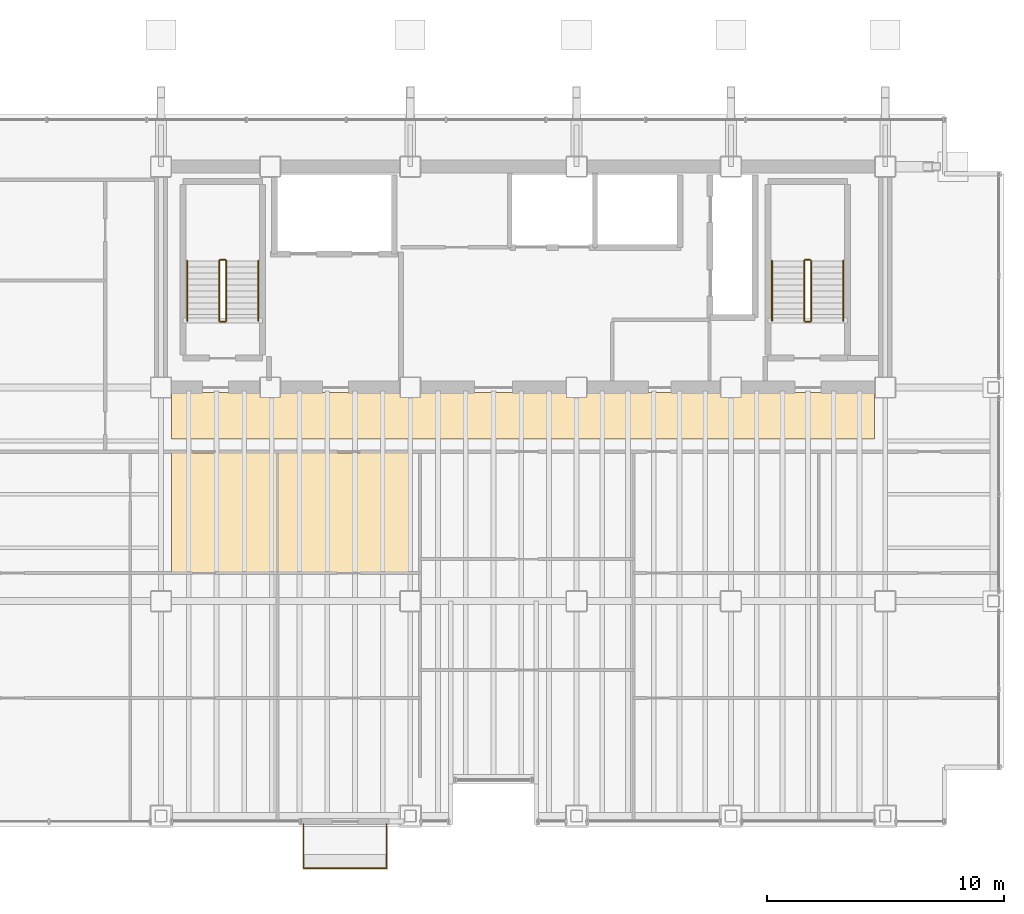
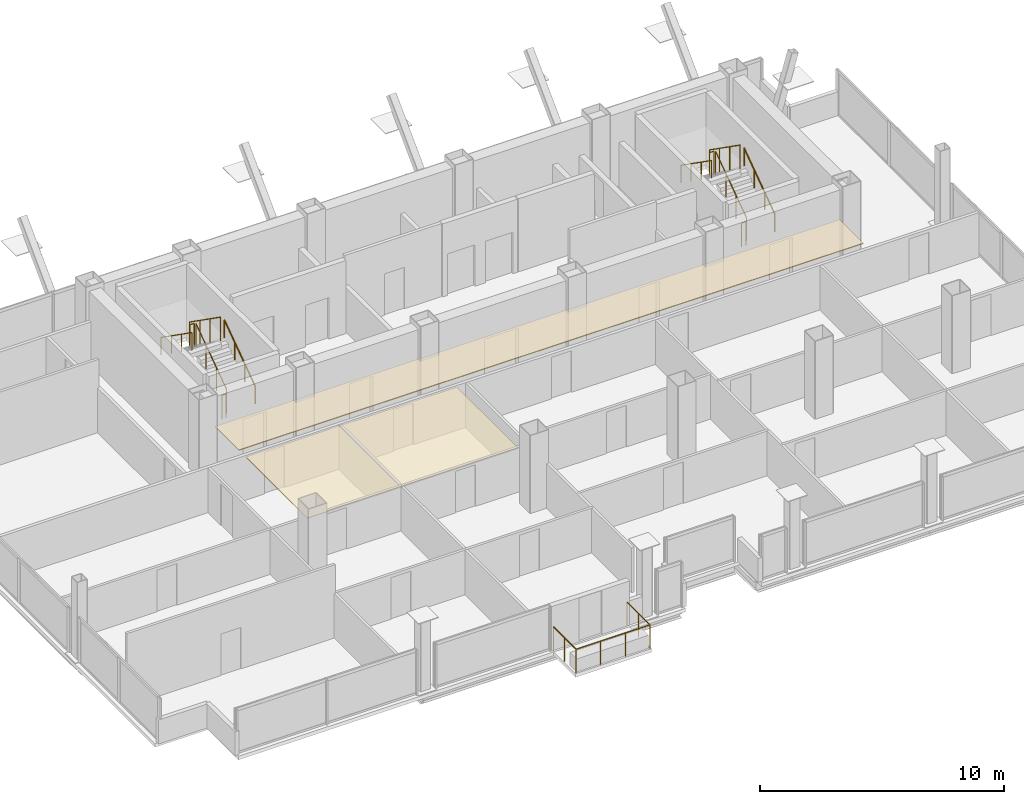
# One storey, part 22 of 22: 13 railings, 2 coverings.
"""IFC4 building model written with IfcOpenShell, lengths in metres."""

from ifc_helpers import new_model, si_unit, direction, frame, origin, origin_2d, place, context, subcontext, project, spatial, polyline, circle, outline, extrude, material, layer, layer_set, type_object, element, save


model = new_model("IFC4")

# Units and contexts
model_context = context("Model", 3, precision=1e-05, world=origin(), true_north=direction((0.0, 1.0)))
body_context = subcontext(model_context, "Body", "Model", "MODEL_VIEW")
ifc_project = project(units=[si_unit("LENGTHUNIT", "METRE"), si_unit("AREAUNIT", "SQUARE_METRE"), si_unit("VOLUMEUNIT", "CUBIC_METRE"), si_unit("PLANEANGLEUNIT", "RADIAN"), si_unit("MASSUNIT", "GRAM", prefix="KILO")], contexts=[model_context])

# Site, building, storey
site_placement = place(None, origin())
site = spatial("IfcSite", under=ifc_project, at=site_placement, CompositionType="ELEMENT")
building_placement = place(site_placement, origin())
building = spatial("IfcBuilding", under=site, at=building_placement, Name="Noeulbin Bourse Tower", CompositionType="ELEMENT")
storey_placement = place(building_placement, frame((0.0, 0.0, 138.300048828125)))
storey = spatial("IfcBuildingStorey", under=building, at=storey_placement, Name="L34", CompositionType="ELEMENT", Elevation=138.300048828125)

# Coverings
ifc_material_1 = material(Name="Perforated Mineral-Fibre Acoustic Tile")
ifc_layer_1 = layer(ifc_material_1, 0.0400390625)
ifc_layer_set_1 = layer_set([ifc_layer_1], Name="Perforated Mineral-Fibre Acoustic Tile")
covering_type = type_object("IfcCoveringType", Name="COV-CEIL-ACT", PredefinedType="CEILING", material=ifc_layer_set_1)
covering_1_placement = place(storey_placement, frame((0.0, 0.0, 2.10986328125)))
element("IfcCovering", 1, at=covering_1_placement, inside=storey, type_object=covering_type, Name="Corridor Suspended Ceiling L34", PredefinedType="CEILING", context=body_context, shape_type="SweptSolid", body=[
    extrude(outline(polyline([(13.949951171875, 26.820068359375), (43.550048828125, 26.820068359375), (43.550048828125, 28.780029296875), (13.949951171875, 28.780029296875), (13.949951171875, 26.820068359375)])), origin(), (0.0, 0.0, 1.0), 0.0400390625),
])
covering_2_placement = place(storey_placement, frame((0.0, 0.0, 2.10986328125)))
element("IfcCovering", 2, at=covering_2_placement, inside=storey, type_object=covering_type, Name="Trading Suite Acoustic Ceiling L34", PredefinedType="CEILING", context=body_context, shape_type="SweptSolid", body=[
    extrude(outline(polyline([(13.949951171875, 21.199951171875), (23.949951171875, 21.199951171875), (23.949951171875, 26.25), (13.949951171875, 26.25), (13.949951171875, 21.199951171875)])), origin(), (0.0, 0.0, 1.0), 0.0400390625),
])

# Railings
ifc_material_2 = material(Name="Laminated SentryGlas and Stainless Steel 316", Category="steel")
ifc_layer_2 = layer(ifc_material_2, 0.06005859375)
ifc_layer_set_2 = layer_set([ifc_layer_2], Name="Laminated SentryGlas and Stainless Steel 316")
railing_type_1 = type_object("IfcRailingType", Name="RLG-BAL-1200", PredefinedType="BALUSTRADE", material=ifc_layer_set_2)
railing_1_placement = place(storey_placement, frame((19.5, 10.6201171875, 0.0)))
element("IfcRailing", 3, at=railing_1_placement, inside=storey, type_object=railing_type_1, Name="Tree-Balcony Glazed Balustrade L34", PredefinedType="BALUSTRADE", context=body_context, shape_type="SweptSolid", body=[
    extrude(circle(Radius=0.02392578125, at=origin_2d()), frame((0.0, 0.0, 1.17578125), z_axis=(0.0, -1.0, 0.0), x_axis=(1.0, 0.0, 0.0)), (0.0, 0.0, 1.0), 1.8701171875),
    extrude(circle(Radius=0.02392578125, at=origin_2d()), frame((0.0, -1.8701171875, 1.17578125), z_axis=(1.0, 0.0, 0.0), x_axis=(0.0, 1.0, 0.0)), (0.0, 0.0, 1.0), 3.5),
    extrude(circle(Radius=0.02392578125, at=origin_2d()), frame((3.5, -1.8701171875, 1.17578125), z_axis=(0.0, 1.0, 0.0), x_axis=(-1.0, 0.0, 0.0)), (0.0, 0.0, 1.0), 1.8701171875),
    extrude(circle(Radius=0.02099609375, at=origin_2d()), origin(), (0.0, 0.0, 1.0), 1.15185546875),
    extrude(circle(Radius=0.02099609375, at=origin_2d()), frame((0.0, -0.93505859375, 0.0)), (0.0, 0.0, 1.0), 1.15185546875),
    extrude(circle(Radius=0.02099609375, at=origin_2d()), frame((0.0, -1.8701171875, 0.0)), (0.0, 0.0, 1.0), 1.15185546875),
    extrude(circle(Radius=0.02099609375, at=origin_2d()), frame((1.166748046875, -1.8701171875, 0.0)), (0.0, 0.0, 1.0), 1.15185546875),
    extrude(circle(Radius=0.02099609375, at=origin_2d()), frame((2.333251953125, -1.8701171875, 0.0)), (0.0, 0.0, 1.0), 1.15185546875),
    extrude(circle(Radius=0.02099609375, at=origin_2d()), frame((3.5, -1.8701171875, 0.0)), (0.0, 0.0, 1.0), 1.15185546875),
    extrude(circle(Radius=0.02099609375, at=origin_2d()), frame((3.5, -0.93505859375, 0.0)), (0.0, 0.0, 1.0), 1.15185546875),
    extrude(circle(Radius=0.02099609375, at=origin_2d()), frame((3.5, 0.0, 0.0)), (0.0, 0.0, 1.0), 1.15185546875),
])
ifc_material_3 = material(Name="Painted Tubular Steel S355", Category="steel")
ifc_layer_3 = layer(ifc_material_3, 0.048095703125)
ifc_layer_set_3 = layer_set([ifc_layer_3], Name="Painted Tubular Steel S355")
railing_type_2 = type_object("IfcRailingType", Name="RLG-STR-GRD", PredefinedType="GUARDRAIL", material=ifc_layer_set_3)
railing_2_placement = place(storey_placement, frame((16.25, 31.81005859375, 0.17724609375)))
element("IfcRailing", 4, at=railing_2_placement, inside=storey, type_object=railing_type_2, Name="L34 ST-1 stair guard 1", PredefinedType="GUARDRAIL", context=body_context, shape_type="SweptSolid", body=[
    extrude(circle(Radius=0.02392578125, at=origin_2d()), frame((0.0, 0.0, 1.17578125), z_axis=(0.0, 0.817904474719, 0.575354039036), x_axis=(-1.0, 0.0, 0.0)), (0.0, 0.0, 1.0), 3.0810546875),
    extrude(circle(Radius=0.02099609375, at=origin_2d()), origin(), (0.0, 0.0, 1.0), 1.15185546875),
    extrude(circle(Radius=0.02099609375, at=origin_2d()), frame((0.0, 0.840087890625, 0.5908203125)), (0.0, 0.0, 1.0), 1.15185546875),
    extrude(circle(Radius=0.02099609375, at=origin_2d()), frame((0.0, 1.679931640625, 1.181884765625)), (0.0, 0.0, 1.0), 1.15185546875),
    extrude(circle(Radius=0.02099609375, at=origin_2d()), frame((0.0, 2.52001953125, 1.772705078125)), (0.0, 0.0, 1.0), 1.15185546875),
])
railing_3_placement = place(storey_placement, frame((16.199951171875, 34.3798828125, 1.949951171875)))
element("IfcRailing", 5, at=railing_3_placement, inside=storey, type_object=railing_type_2, Name="L34 ST-1 stair guard 2", PredefinedType="GUARDRAIL", context=body_context, shape_type="SweptSolid", body=[
    extrude(circle(Radius=0.02392578125, at=origin_2d()), frame((0.0, 0.0, 1.17578125), z_axis=(-1.0, 0.0, 0.0), x_axis=(0.0, -1.0, 0.0)), (0.0, 0.0, 1.0), 0.199951171875),
    extrude(circle(Radius=0.02099609375, at=origin_2d()), origin(), (0.0, 0.0, 1.0), 1.15185546875),
    extrude(circle(Radius=0.02099609375, at=origin_2d()), frame((-0.199951171875, 0.0, 0.0)), (0.0, 0.0, 1.0), 1.15185546875),
])
railing_4_placement = place(storey_placement, frame((15.949951171875, 34.330078125, 2.127197265625)))
element("IfcRailing", 6, at=railing_4_placement, inside=storey, type_object=railing_type_2, Name="L34 ST-1 stair guard 3", PredefinedType="GUARDRAIL", context=body_context, shape_type="SweptSolid", body=[
    extrude(circle(Radius=0.02392578125, at=origin_2d()), frame((0.0, 0.0, 1.17578125), z_axis=(0.0, -0.817904474719, 0.575354039036), x_axis=(1.0, 0.0, 0.0)), (0.0, 0.0, 1.0), 3.0810546875),
    extrude(circle(Radius=0.02099609375, at=origin_2d()), origin(), (0.0, 0.0, 1.0), 1.15185546875),
    extrude(circle(Radius=0.02099609375, at=origin_2d()), frame((0.0, -0.840087890625, 0.5908203125)), (0.0, 0.0, 1.0), 1.15185546875),
    extrude(circle(Radius=0.02099609375, at=origin_2d()), frame((0.0, -1.679931640625, 1.181884765625)), (0.0, 0.0, 1.0), 1.15185546875),
    extrude(circle(Radius=0.02099609375, at=origin_2d()), frame((0.0, -2.52001953125, 1.772705078125)), (0.0, 0.0, 1.0), 1.15185546875),
])
railing_5_placement = place(storey_placement, frame((16.199951171875, 31.760009765625, 0.0)))
element("IfcRailing", 7, at=railing_5_placement, inside=storey, type_object=railing_type_2, Name="L34 ST-1 stair guard 4", PredefinedType="GUARDRAIL", context=body_context, shape_type="SweptSolid", body=[
    extrude(circle(Radius=0.02392578125, at=origin_2d()), frame((0.0, 0.0, 1.17578125), z_axis=(-1.0, 0.0, 0.0), x_axis=(0.0, -1.0, 0.0)), (0.0, 0.0, 1.0), 0.199951171875),
    extrude(circle(Radius=0.02099609375, at=origin_2d()), origin(), (0.0, 0.0, 1.0), 1.15185546875),
    extrude(circle(Radius=0.02099609375, at=origin_2d()), frame((-0.199951171875, 0.0, 0.0)), (0.0, 0.0, 1.0), 1.15185546875),
])
railing_6_placement = place(storey_placement, frame((40.8798828125, 31.81005859375, 0.17724609375)))
element("IfcRailing", 8, at=railing_6_placement, inside=storey, type_object=railing_type_2, Name="L34 ST-2 stair guard 1", PredefinedType="GUARDRAIL", context=body_context, shape_type="SweptSolid", body=[
    extrude(circle(Radius=0.02392578125, at=origin_2d()), frame((0.0, 0.0, 1.17578125), z_axis=(0.0, 0.817904474719, 0.575354039036), x_axis=(-1.0, 0.0, 0.0)), (0.0, 0.0, 1.0), 3.0810546875),
    extrude(circle(Radius=0.02099609375, at=origin_2d()), origin(), (0.0, 0.0, 1.0), 1.15185546875),
    extrude(circle(Radius=0.02099609375, at=origin_2d()), frame((0.0, 0.840087890625, 0.5908203125)), (0.0, 0.0, 1.0), 1.15185546875),
    extrude(circle(Radius=0.02099609375, at=origin_2d()), frame((0.0, 1.679931640625, 1.181884765625)), (0.0, 0.0, 1.0), 1.15185546875),
    extrude(circle(Radius=0.02099609375, at=origin_2d()), frame((0.0, 2.52001953125, 1.772705078125)), (0.0, 0.0, 1.0), 1.15185546875),
])
railing_7_placement = place(storey_placement, frame((40.830078125, 34.3798828125, 1.949951171875)))
element("IfcRailing", 9, at=railing_7_placement, inside=storey, type_object=railing_type_2, Name="L34 ST-2 stair guard 2", PredefinedType="GUARDRAIL", context=body_context, shape_type="SweptSolid", body=[
    extrude(circle(Radius=0.02392578125, at=origin_2d()), frame((0.0, 0.0, 1.17578125), z_axis=(-1.0, 0.0, 0.0), x_axis=(0.0, -1.0, 0.0)), (0.0, 0.0, 1.0), 0.2001953125),
    extrude(circle(Radius=0.02099609375, at=origin_2d()), origin(), (0.0, 0.0, 1.0), 1.15185546875),
    extrude(circle(Radius=0.02099609375, at=origin_2d()), frame((-0.2001953125, 0.0, 0.0)), (0.0, 0.0, 1.0), 1.15185546875),
])
railing_8_placement = place(storey_placement, frame((40.580078125, 34.330078125, 2.127197265625)))
element("IfcRailing", 10, at=railing_8_placement, inside=storey, type_object=railing_type_2, Name="L34 ST-2 stair guard 3", PredefinedType="GUARDRAIL", context=body_context, shape_type="SweptSolid", body=[
    extrude(circle(Radius=0.02392578125, at=origin_2d()), frame((0.0, 0.0, 1.17578125), z_axis=(0.0, -0.817904474719, 0.575354039036), x_axis=(1.0, 0.0, 0.0)), (0.0, 0.0, 1.0), 3.0810546875),
    extrude(circle(Radius=0.02099609375, at=origin_2d()), origin(), (0.0, 0.0, 1.0), 1.15185546875),
    extrude(circle(Radius=0.02099609375, at=origin_2d()), frame((0.0, -0.840087890625, 0.5908203125)), (0.0, 0.0, 1.0), 1.15185546875),
    extrude(circle(Radius=0.02099609375, at=origin_2d()), frame((0.0, -1.679931640625, 1.181884765625)), (0.0, 0.0, 1.0), 1.15185546875),
    extrude(circle(Radius=0.02099609375, at=origin_2d()), frame((0.0, -2.52001953125, 1.772705078125)), (0.0, 0.0, 1.0), 1.15185546875),
])
railing_9_placement = place(storey_placement, frame((40.830078125, 31.760009765625, 0.0)))
element("IfcRailing", 11, at=railing_9_placement, inside=storey, type_object=railing_type_2, Name="L34 ST-2 stair guard 4", PredefinedType="GUARDRAIL", context=body_context, shape_type="SweptSolid", body=[
    extrude(circle(Radius=0.02392578125, at=origin_2d()), frame((0.0, 0.0, 1.17578125), z_axis=(-1.0, 0.0, 0.0), x_axis=(0.0, -1.0, 0.0)), (0.0, 0.0, 1.0), 0.2001953125),
    extrude(circle(Radius=0.02099609375, at=origin_2d()), origin(), (0.0, 0.0, 1.0), 1.15185546875),
    extrude(circle(Radius=0.02099609375, at=origin_2d()), frame((-0.2001953125, 0.0, 0.0)), (0.0, 0.0, 1.0), 1.15185546875),
])
ifc_material_4 = material(Name="Brushed Stainless Steel 316", Category="steel")
ifc_layer_4 = layer(ifc_material_4, 0.048095703125)
ifc_layer_set_4 = layer_set([ifc_layer_4], Name="Brushed Stainless Steel 316")
railing_type_3 = type_object("IfcRailingType", Name="RLG-STR-HND", PredefinedType="HANDRAIL", material=ifc_layer_set_4)
railing_10_placement = place(storey_placement, frame((17.60009765625, 31.81005859375, 0.17724609375)))
element("IfcRailing", 12, at=railing_10_placement, inside=storey, type_object=railing_type_3, Name="L34 ST-1 stair handrail 1", PredefinedType="HANDRAIL", context=body_context, shape_type="SweptSolid", body=[
    extrude(circle(Radius=0.02392578125, at=origin_2d()), frame((0.0, 0.0, 0.8759765625), z_axis=(0.0, 0.817904474719, 0.575354039036), x_axis=(-1.0, 0.0, 0.0)), (0.0, 0.0, 1.0), 3.0810546875),
    extrude(circle(Radius=0.02099609375, at=origin_2d()), origin(), (0.0, 0.0, 1.0), 0.851806640625),
    extrude(circle(Radius=0.02099609375, at=origin_2d()), frame((0.0, 0.840087890625, 0.5908203125)), (0.0, 0.0, 1.0), 0.851806640625),
    extrude(circle(Radius=0.02099609375, at=origin_2d()), frame((0.0, 1.679931640625, 1.181884765625)), (0.0, 0.0, 1.0), 0.851806640625),
    extrude(circle(Radius=0.02099609375, at=origin_2d()), frame((0.0, 2.52001953125, 1.772705078125)), (0.0, 0.0, 1.0), 0.851806640625),
])
railing_11_placement = place(storey_placement, frame((14.60009765625, 34.330078125, 2.127197265625)))
element("IfcRailing", 13, at=railing_11_placement, inside=storey, type_object=railing_type_3, Name="L34 ST-1 stair handrail 2", PredefinedType="HANDRAIL", context=body_context, shape_type="SweptSolid", body=[
    extrude(circle(Radius=0.02392578125, at=origin_2d()), frame((0.0, 0.0, 0.8759765625), z_axis=(0.0, -0.817904474719, 0.575354039036), x_axis=(1.0, 0.0, 0.0)), (0.0, 0.0, 1.0), 3.0810546875),
    extrude(circle(Radius=0.02099609375, at=origin_2d()), origin(), (0.0, 0.0, 1.0), 0.851806640625),
    extrude(circle(Radius=0.02099609375, at=origin_2d()), frame((0.0, -0.840087890625, 0.5908203125)), (0.0, 0.0, 1.0), 0.851806640625),
    extrude(circle(Radius=0.02099609375, at=origin_2d()), frame((0.0, -1.679931640625, 1.181884765625)), (0.0, 0.0, 1.0), 0.851806640625),
    extrude(circle(Radius=0.02099609375, at=origin_2d()), frame((0.0, -2.52001953125, 1.772705078125)), (0.0, 0.0, 1.0), 0.851806640625),
])
railing_12_placement = place(storey_placement, frame((42.22998046875, 31.81005859375, 0.17724609375)))
element("IfcRailing", 14, at=railing_12_placement, inside=storey, type_object=railing_type_3, Name="L34 ST-2 stair handrail 1", PredefinedType="HANDRAIL", context=body_context, shape_type="SweptSolid", body=[
    extrude(circle(Radius=0.02392578125, at=origin_2d()), frame((0.0, 0.0, 0.8759765625), z_axis=(0.0, 0.817904474719, 0.575354039036), x_axis=(-1.0, 0.0, 0.0)), (0.0, 0.0, 1.0), 3.0810546875),
    extrude(circle(Radius=0.02099609375, at=origin_2d()), origin(), (0.0, 0.0, 1.0), 0.851806640625),
    extrude(circle(Radius=0.02099609375, at=origin_2d()), frame((0.0, 0.840087890625, 0.5908203125)), (0.0, 0.0, 1.0), 0.851806640625),
    extrude(circle(Radius=0.02099609375, at=origin_2d()), frame((0.0, 1.679931640625, 1.181884765625)), (0.0, 0.0, 1.0), 0.851806640625),
    extrude(circle(Radius=0.02099609375, at=origin_2d()), frame((0.0, 2.52001953125, 1.772705078125)), (0.0, 0.0, 1.0), 0.851806640625),
])
railing_13_placement = place(storey_placement, frame((39.22998046875, 34.330078125, 2.127197265625)))
element("IfcRailing", 15, at=railing_13_placement, inside=storey, type_object=railing_type_3, Name="L34 ST-2 stair handrail 2", PredefinedType="HANDRAIL", context=body_context, shape_type="SweptSolid", body=[
    extrude(circle(Radius=0.02392578125, at=origin_2d()), frame((0.0, 0.0, 0.8759765625), z_axis=(0.0, -0.817904474719, 0.575354039036), x_axis=(1.0, 0.0, 0.0)), (0.0, 0.0, 1.0), 3.0810546875),
    extrude(circle(Radius=0.02099609375, at=origin_2d()), origin(), (0.0, 0.0, 1.0), 0.851806640625),
    extrude(circle(Radius=0.02099609375, at=origin_2d()), frame((0.0, -0.840087890625, 0.5908203125)), (0.0, 0.0, 1.0), 0.851806640625),
    extrude(circle(Radius=0.02099609375, at=origin_2d()), frame((0.0, -1.679931640625, 1.181884765625)), (0.0, 0.0, 1.0), 0.851806640625),
    extrude(circle(Radius=0.02099609375, at=origin_2d()), frame((0.0, -2.52001953125, 1.772705078125)), (0.0, 0.0, 1.0), 0.851806640625),
])

save(model, "model.ifc")
